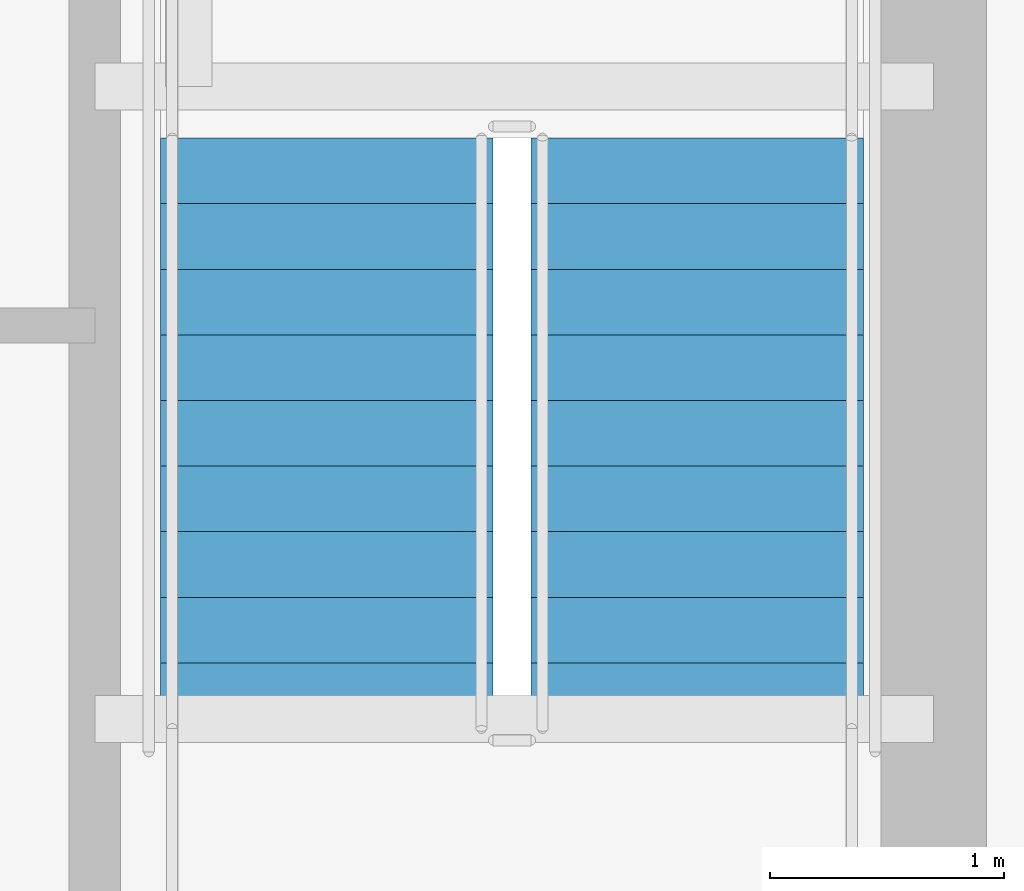
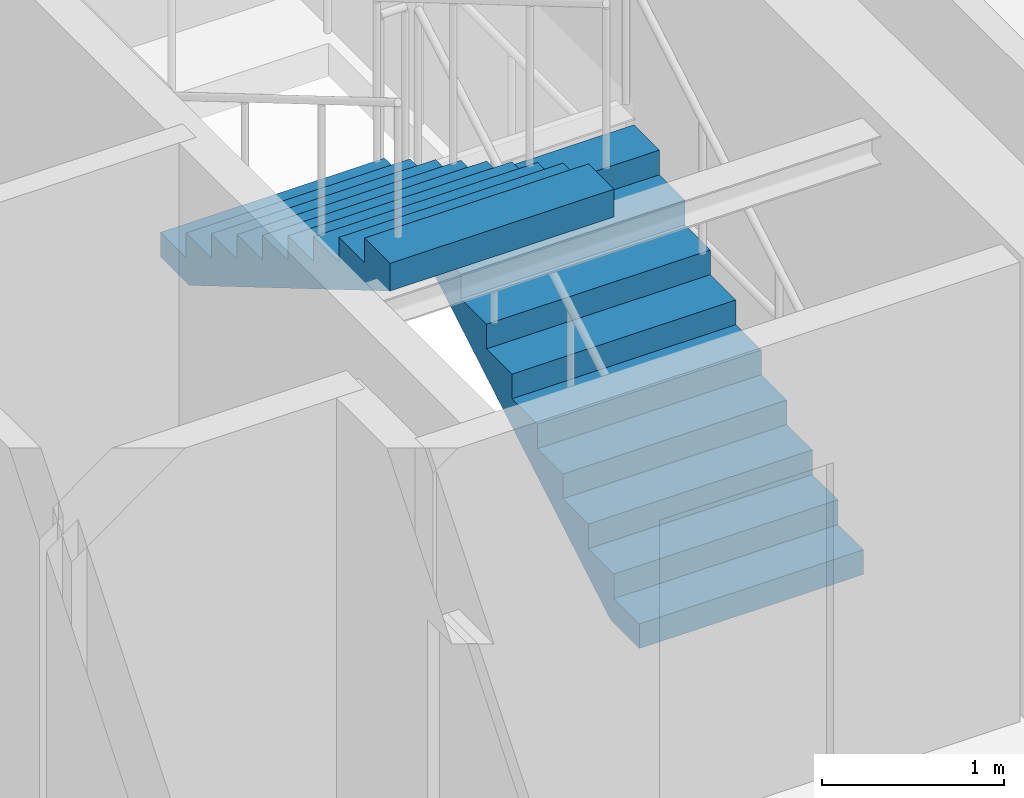
# One storey, part 32 of 37: 2 stair flights, 1 element without a shape of its own.
"""IFC4 building model written with IfcOpenShell, lengths in metres."""

from ifc_helpers import new_model, si_unit, direction, frame, origin, place, context, subcontext, project, spatial, polyline, outline, extrude, material, type_object, element, aggregate, save


model = new_model("IFC4")

# Units and contexts
model_context = context("Model", 3, precision=1e-05, world=origin(), true_north=direction((0.0, 1.0)))
body_context = subcontext(model_context, "Body", "Model", "MODEL_VIEW")
ifc_project = project(units=[si_unit("LENGTHUNIT", "METRE"), si_unit("AREAUNIT", "SQUARE_METRE"), si_unit("VOLUMEUNIT", "CUBIC_METRE"), si_unit("PLANEANGLEUNIT", "RADIAN"), si_unit("MASSUNIT", "GRAM", prefix="KILO")], contexts=[model_context])

# Site, building, storey
site_placement = place(None, origin())
site = spatial("IfcSite", under=ifc_project, at=site_placement, CompositionType="ELEMENT")
building_placement = place(site_placement, origin())
building = spatial("IfcBuilding", under=site, at=building_placement, Name="Yelkora Congress Tower", CompositionType="ELEMENT")
storey_placement = place(building_placement, frame((0.0, 0.0, 168.800048828125)))
storey = spatial("IfcBuildingStorey", under=building, at=storey_placement, Name="L46", CompositionType="ELEMENT", Elevation=168.800048828125)

# Stair, stair flights
ifc_material = material(Name="Concrete C40/50", Category="concrete")
stair_type = type_object("IfcStairType", Name="STAIR-HT-1420-R20-165", PredefinedType="HALF_TURN_STAIR", material=ifc_material)
stair_placement = place(storey_placement, origin())
stair = element("IfcStair", 1, at=stair_placement, inside=storey, type_object=stair_type, Name="East Core Protected Exit Stair ST-02 (L46)", PredefinedType="HALF_TURN_STAIR")
stair_flight_type = type_object("IfcStairFlightType", Name="FLIGHT-1420-N10-R165-G280", PredefinedType="STRAIGHT", material=ifc_material)
stair_flight_1_placement = place(storey_placement, frame((52.75, 39.60009765625, 0.0), z_axis=(0.0, 0.0, 1.0), x_axis=(0.0, 1.0, 0.0)))
stair_flight_1 = element("IfcStairFlight", 2, at=stair_flight_1_placement, type_object=stair_flight_type, Name="ST-02 L46 Flight 1", NumberOfRisers=10, NumberOfTreads=9, PredefinedType="STRAIGHT", RiserHeight=0.165, TreadLength=0.28, context=body_context, shape_type="SweptSolid", body=[
    extrude(outline(polyline([(0.0, 0.0), (0.0, 0.1650390625), (0.280029296875, 0.1650390625), (0.280029296875, 0.330078125), (0.56005859375, 0.330078125), (0.56005859375, 0.4951171875), (0.840087890625, 0.4951171875), (0.840087890625, 0.659912109375), (1.1201171875, 0.659912109375), (1.1201171875, 0.824951171875), (1.39990234375, 0.824951171875), (1.39990234375, 0.989990234375), (1.679931640625, 0.989990234375), (1.679931640625, 1.155029296875), (1.9599609375, 1.155029296875), (1.9599609375, 1.320068359375), (2.239990234375, 1.320068359375), (2.239990234375, 1.485107421875), (2.52001953125, 1.485107421875), (2.52001953125, 1.64990234375), (2.52001953125, 1.29931640625), (0.31494140625, 0.0), (0.0, 0.0)])), frame((0.0, 0.7099609375, 0.0), z_axis=(0.0, -1.0, 0.0), x_axis=(1.0, 0.0, 0.0)), (0.0, 0.0, 1.0), 1.419921875),
])
stair_flight_2_placement = place(storey_placement, frame((51.169921875, 42.1201171875, 1.64990234375), z_axis=(0.0, 0.0, 1.0), x_axis=(0.0, -1.0, 0.0)))
stair_flight_2 = element("IfcStairFlight", 3, at=stair_flight_2_placement, type_object=stair_flight_type, Name="ST-02 L46 Flight 2", NumberOfRisers=10, NumberOfTreads=9, PredefinedType="STRAIGHT", RiserHeight=0.165, TreadLength=0.28, context=body_context, shape_type="SweptSolid", body=[
    extrude(outline(polyline([(0.0, 0.0), (0.0, 0.1650390625), (0.280029296875, 0.1650390625), (0.280029296875, 0.330078125), (0.56005859375, 0.330078125), (0.56005859375, 0.4951171875), (0.840087890625, 0.4951171875), (0.840087890625, 0.659912109375), (1.1201171875, 0.659912109375), (1.1201171875, 0.824951171875), (1.39990234375, 0.824951171875), (1.39990234375, 0.989990234375), (1.679931640625, 0.989990234375), (1.679931640625, 1.155029296875), (1.9599609375, 1.155029296875), (1.9599609375, 1.320068359375), (2.239990234375, 1.320068359375), (2.239990234375, 1.485107421875), (2.52001953125, 1.485107421875), (2.52001953125, 1.64990234375), (2.52001953125, 1.29931640625), (0.31494140625, 0.0), (0.0, 0.0)])), frame((0.0, 0.7099609375, 0.0), z_axis=(0.0, -1.0, 0.0), x_axis=(1.0, 0.0, 0.0)), (0.0, 0.0, 1.0), 1.419921875),
])
aggregate(stair, [stair_flight_1, stair_flight_2])

save(model, "model.ifc")
